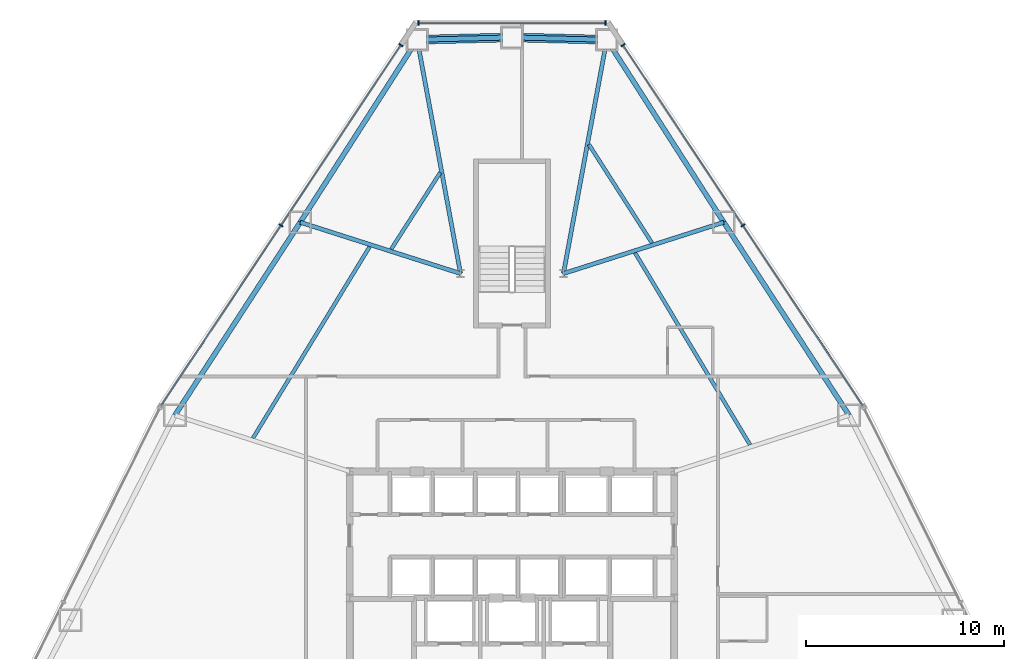
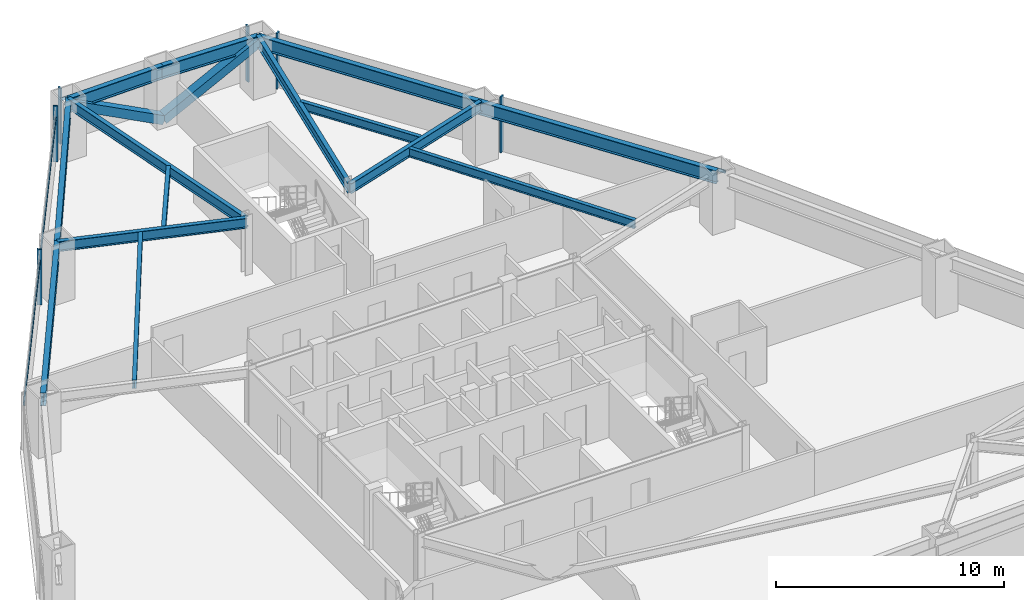
# One storey, part 7 of 12: 14 beams, 11 members, 3 elements without a shape of their own.
"""IFC4 building model written with IfcOpenShell, lengths in metres."""

import ifcopenshell
import ifcopenshell.guid

model = None  # the IFC model being written
_history = None  # IfcOwnerHistory: only IFC2X3 demands one
_inside = {}  # id of a spatial element -> (the spatial element, [elements in it])
_under = {}  # id of a project, library or spatial element -> (it, [spatial elements below it])
_declared = {}  # id of a project -> (the project, [libraries it declares])
_typed = {}  # id of a type object -> (the type object, [elements of that type])
_made_of = {}  # id of a material, layer set ... -> (it, [elements and type objects made of it])


def new_model(schema):
    """Start an empty IFC model of exactly this schema.

    Asked for "IFC4X3", IfcOpenShell would pick the latest addendum, in which some entities
    have other attributes; the version numbers below select the first issue.
    IFC2X3 requires an IfcOwnerHistory on every rooted entity: one is made here for all.
    """
    global model, _history
    if schema == "IFC4X3":
        model = ifcopenshell.file(schema_version=(4, 3, 0, 0))
    else:
        model = ifcopenshell.file(schema=schema)
    _inside.clear()
    _under.clear()
    _declared.clear()
    _typed.clear()
    _made_of.clear()
    _history = None
    if model.schema == "IFC2X3":
        org = make("IfcOrganization", Name="unknown")
        user = make(
            "IfcPersonAndOrganization",
            ThePerson=make("IfcPerson", FamilyName="unknown"),
            TheOrganization=org,
        )
        app = make(
            "IfcApplication",
            ApplicationDeveloper=org,
            Version="unknown",
            ApplicationFullName="unknown",
            ApplicationIdentifier="unknown",
        )
        _history = make(
            "IfcOwnerHistory",
            OwningUser=user,
            OwningApplication=app,
            ChangeAction="ADDED",
            CreationDate=0,
        )
    return model


def make(cls, **values):
    """One entity of the class cls with the attributes given. An attribute that is None is left unset."""
    return model.create_entity(
        cls, **{name: value for name, value in values.items() if value is not None}
    )


def rooted(cls, **values):
    """An entity with a GlobalId (a new one), such as an element, a storey or a relation."""
    return make(cls, GlobalId=ifcopenshell.guid.new(), OwnerHistory=_history, **values)


def si_unit(unit_type, name, prefix=None):
    """IfcSIUnit, for example si_unit("LENGTHUNIT", "METRE", prefix="MILLI")."""
    return make("IfcSIUnit", UnitType=unit_type, Prefix=prefix, Name=name)


def assignment(units):
    """IfcUnitAssignment: the units of a project."""
    return None if units is None else make("IfcUnitAssignment", Units=units)


def point(xyz):
    """IfcCartesianPoint."""
    return None if xyz is None else make("IfcCartesianPoint", Coordinates=xyz)


def direction(xyz):
    """IfcDirection."""
    return None if xyz is None else make("IfcDirection", DirectionRatios=xyz)


def frame(location, z_axis=None, x_axis=None):
    """IfcAxis2Placement3D, a coordinate frame: its origin and axes. An axis left out is left unset."""
    return make(
        "IfcAxis2Placement3D",
        Location=point(location),
        Axis=direction(z_axis),
        RefDirection=direction(x_axis),
    )


def frame_2d(location, x_axis=None):
    """IfcAxis2Placement2D, a coordinate frame in the plane: its origin and x axis."""
    return make(
        "IfcAxis2Placement2D", Location=point(location), RefDirection=direction(x_axis)
    )


def origin():
    """The frame at (0, 0, 0) with its axes left unset."""
    return frame((0.0, 0.0, 0.0))


def origin_2d():
    """The frame at (0, 0) in the plane with its x axis left unset."""
    return frame_2d((0.0, 0.0))


def place(relative_to, where):
    """IfcLocalPlacement: puts the frame where relative to a parent placement (None: the world)."""
    return make(
        "IfcLocalPlacement", PlacementRelTo=relative_to, RelativePlacement=where
    )


def context(
    kind, dimensions, precision=None, world=None, true_north=None, identifier=None
):
    """IfcGeometricRepresentationContext, for example the 3D "Model" context."""
    return make(
        "IfcGeometricRepresentationContext",
        ContextIdentifier=identifier,
        ContextType=kind,
        CoordinateSpaceDimension=dimensions,
        Precision=precision,
        WorldCoordinateSystem=world,
        TrueNorth=true_north,
    )


def subcontext(parent, identifier, kind, view, scale=None):
    """IfcGeometricRepresentationSubContext, for example "Body" below "Model"."""
    return make(
        "IfcGeometricRepresentationSubContext",
        ContextIdentifier=identifier,
        ContextType=kind,
        ParentContext=parent,
        TargetScale=scale,
        TargetView=view,
    )


def project(units=None, contexts=None):
    """IfcProject with its units and contexts."""
    return rooted(
        "IfcProject",
        Name="project",
        RepresentationContexts=contexts,
        UnitsInContext=assignment(units),
    )


def spatial(cls, under=None, at=None, **own):
    """A site, building, storey or space (cls), placed at a placement, below another one or the project."""
    s = rooted(cls, ObjectPlacement=at, **own)
    if under is not None:
        _under.setdefault(under.id(), (under, []))[1].append(s)
    return s


def profile(cls, at=None, kind="AREA", **sizes):
    """A parametric profile (cls). Its sizes go by their IFC names, for example OverallWidth=200.0."""
    return make(cls, ProfileType=kind, Position=at, **sizes)


def rectangle(**sizes):
    """IfcRectangleProfileDef."""
    return profile("IfcRectangleProfileDef", **sizes)


def hollow_rectangle(**sizes):
    """IfcRectangleHollowProfileDef."""
    return profile("IfcRectangleHollowProfileDef", **sizes)


def i_section(**sizes):
    """IfcIShapeProfileDef."""
    return profile("IfcIShapeProfileDef", **sizes)


def extrude(swept, where, along, depth):
    """IfcExtrudedAreaSolid: the profile swept, set in the frame where, extruded along a direction by depth."""
    return make(
        "IfcExtrudedAreaSolid",
        SweptArea=swept,
        Position=where,
        ExtrudedDirection=direction(along),
        Depth=depth,
    )


def shape(context_of_items, identifier, shape_type, items):
    """IfcShapeRepresentation: the items that make up one representation, for example the "Body"."""
    return make(
        "IfcShapeRepresentation",
        ContextOfItems=context_of_items,
        RepresentationIdentifier=identifier,
        RepresentationType=shape_type,
        Items=items,
    )


def source(mapping_origin, context_of_items, identifier, shape_type, items):
    """IfcRepresentationMap: a shape defined once, which mapped items show again and again."""
    return make(
        "IfcRepresentationMap",
        MappingOrigin=mapping_origin,
        MappedRepresentation=shape(context_of_items, identifier, shape_type, items),
    )


def transform(
    local_origin,
    x_axis=None,
    y_axis=None,
    z_axis=None,
    scale=None,
    scale2=None,
    scale3=None,
    uniform=True,
):
    """IfcCartesianTransformationOperator3D, or its non-uniform kind. x_axis, y_axis, z_axis: its Axis1, 2, 3."""
    if uniform:
        return make(
            "IfcCartesianTransformationOperator3D",
            Axis1=direction(x_axis),
            Axis2=direction(y_axis),
            LocalOrigin=point(local_origin),
            Scale=scale,
            Axis3=direction(z_axis),
        )
    return make(
        "IfcCartesianTransformationOperator3DnonUniform",
        Axis1=direction(x_axis),
        Axis2=direction(y_axis),
        LocalOrigin=point(local_origin),
        Scale=scale,
        Axis3=direction(z_axis),
        Scale2=scale2,
        Scale3=scale3,
    )


def mapped(mapping_source, mapping_target):
    """IfcMappedItem: shows the shape of a source again, moved by a transform."""
    return make(
        "IfcMappedItem", MappingSource=mapping_source, MappingTarget=mapping_target
    )


def material(Name=None, Category=None):
    """IfcMaterial."""
    return make("IfcMaterial", Name=Name, Category=Category)


def layer(
    of_material, thickness, ventilated=None, Name=None, Category=None, Priority=None
):
    """IfcMaterialLayer: one layer of a wall or slab, of a material (None: an air gap)."""
    return make(
        "IfcMaterialLayer",
        Material=of_material,
        LayerThickness=thickness,
        IsVentilated=ventilated,
        Name=Name,
        Category=Category,
        Priority=Priority,
    )


def layer_set(layers, Name=None):
    """IfcMaterialLayerSet."""
    return make("IfcMaterialLayerSet", MaterialLayers=layers, LayerSetName=Name)


def material_profile(
    of_material, cross_section, Name=None, Category=None, Priority=None
):
    """IfcMaterialProfile: a cross section and its material."""
    return make(
        "IfcMaterialProfile",
        Name=Name,
        Material=of_material,
        Profile=cross_section,
        Priority=Priority,
        Category=Category,
    )


def profile_set(profiles, Name=None, composite=None):
    """IfcMaterialProfileSet."""
    return make(
        "IfcMaterialProfileSet",
        Name=Name,
        MaterialProfiles=profiles,
        CompositeProfile=composite,
    )


def made_of(thing, what):
    """Note that an element or type object is made of a material, layer set ...; save() writes the relation."""
    if what is not None:
        _made_of.setdefault(what.id(), (what, []))[1].append(thing)
    return thing


def type_object(cls, material=None, **own):
    """A type object (cls), such as IfcWallType, which elements share."""
    return made_of(rooted(cls, **own), material)


def type_shapes(of_type, sources):
    """Give a type object the sources (RepresentationMaps) that its elements show as mapped items."""
    of_type.RepresentationMaps = sources


def element(
    cls,
    number,
    at=None,
    inside=None,
    cuts=None,
    type_object=None,
    material=None,
    context=None,
    identifier="Body",
    shape_type=None,
    held_by="IfcProductDefinitionShape",
    body=None,
    shapes=None,
    **own,
):
    """One element of the class cls, such as IfcWall. Its Tag is "e" and its number.

    at: its placement. inside: the storey or other place that contains it. cuts: it is an
    opening in that element (IfcRelVoidsElement). A single representation is given by context,
    identifier, shape_type and body (its items); several are given by shapes. held_by: the class
    of the entity that holds the representations. save() writes the other relations.
    """
    e = rooted(cls, Tag="e%d" % number, ObjectPlacement=at, **own)
    if body is not None:
        shapes = [shape(context, identifier, shape_type, body)]
    if shapes is not None:
        e.Representation = make(held_by, Representations=shapes)
    if inside is not None:
        _inside.setdefault(inside.id(), (inside, []))[1].append(e)
    if cuts is not None:
        rooted(
            "IfcRelVoidsElement", RelatingBuildingElement=cuts, RelatedOpeningElement=e
        )
    if type_object is not None:
        _typed.setdefault(type_object.id(), (type_object, []))[1].append(e)
    return made_of(e, material)


def aggregate(whole, parts):
    """IfcRelAggregates: a whole, such as a stair, and the parts it consists of."""
    return rooted("IfcRelAggregates", RelatingObject=whole, RelatedObjects=parts)


def save(model, path):
    """Write the relations noted so far, then the file.

    IfcRelAggregates (storeys below a building ...), IfcRelContainedInSpatialStructure (elements
    in a storey), IfcRelDefinesByType, IfcRelAssociatesMaterial and IfcRelDeclares: one each for
    every whole, place, type object, material and project.
    """
    for whole, parts in _under.values():
        aggregate(whole, parts)
    for where, things in _inside.values():
        rooted(
            "IfcRelContainedInSpatialStructure",
            RelatedElements=things,
            RelatingStructure=where,
        )
    for kind, things in _typed.values():
        rooted("IfcRelDefinesByType", RelatedObjects=things, RelatingType=kind)
    for what, things in _made_of.values():
        rooted("IfcRelAssociatesMaterial", RelatedObjects=things, RelatingMaterial=what)
    for by, libraries in _declared.values():
        rooted("IfcRelDeclares", RelatingContext=by, RelatedDefinitions=libraries)
    model.write(path)


model = new_model("IFC4")

# Units and contexts
model_context = context("Model", 3, precision=1e-05, world=origin(), true_north=direction((0.0, 1.0)))
body_context = subcontext(model_context, "Body", "Model", "MODEL_VIEW")
ifc_project = project(units=[si_unit("LENGTHUNIT", "METRE"), si_unit("AREAUNIT", "SQUARE_METRE"), si_unit("VOLUMEUNIT", "CUBIC_METRE"), si_unit("PLANEANGLEUNIT", "RADIAN"), si_unit("MASSUNIT", "GRAM", prefix="KILO")], contexts=[model_context])

# Site, building, storey
site_placement = place(None, origin())
site = spatial("IfcSite", under=ifc_project, at=site_placement, CompositionType="ELEMENT")
building_placement = place(site_placement, origin())
building = spatial("IfcBuilding", under=site, at=building_placement, Name="Varakhsha Concourse Tower", CompositionType="ELEMENT")
storey_placement = place(building_placement, frame((0.0, 0.0, 62.39990234375)))
storey = spatial("IfcBuildingStorey", under=building, at=storey_placement, Name="L17", CompositionType="ELEMENT", Elevation=62.39990234375)

# Beams
ifc_material_1 = material(Name="Structural Steel ASTM A992 Grade 50", Category="steel")
ifc_material_profile_1 = material_profile(ifc_material_1, i_section(OverallWidth=0.19091796875, OverallDepth=0.45703125, WebThickness=0.009033203125, FlangeThickness=0.013916015625, at=origin_2d()), Name="W18X50")
ifc_profile_set_1 = profile_set([ifc_material_profile_1], Name="Structural Steel ASTM A992 Grade 50")
beam_type_1 = type_object("IfcBeamType", Name="BM-JST-W18X50", PredefinedType="JOIST", material=ifc_profile_set_1)
beam_1_placement = place(storey_placement, frame((36.376708984375, 46.306396484375, 2.751708984375), z_axis=(-0.539448153632, -0.842018817808, 0.0), x_axis=(0.842018817808, -0.539448153632, 0.0)))
element("IfcBeam", 1, at=beam_1_placement, inside=storey, type_object=beam_type_1, Name="BM-TJST-L17-03", PredefinedType="JOIST", context=body_context, shape_type="SweptSolid", body=[
    extrude(i_section(OverallWidth=0.19091796875, OverallDepth=0.45703125, WebThickness=0.009033203125, FlangeThickness=0.013916015625, at=origin_2d()), origin(), (0.0, 0.0, 1.0), 4.600830078125),
])
beam_2_placement = place(storey_placement, frame((32.805908203125, 42.556396484375, 2.751708984375), z_axis=(-0.520412401595, -0.853915061505, 0.0), x_axis=(0.853915061505, -0.520412401595, 0.0)))
element("IfcBeam", 2, at=beam_2_placement, inside=storey, type_object=beam_type_1, Name="BM-TJST-L17-04", PredefinedType="JOIST", context=body_context, shape_type="SweptSolid", body=[
    extrude(i_section(OverallWidth=0.19091796875, OverallDepth=0.45703125, WebThickness=0.009033203125, FlangeThickness=0.013916015625, at=origin_2d()), origin(), (0.0, 0.0, 1.0), 11.329833984375),
])
beam_3_placement = place(storey_placement, frame((52.031005859375, 32.541748046875, 2.751708984375), z_axis=(-0.513692387405, 0.857974435005, 0.0), x_axis=(-0.857974435005, -0.513692387405, 0.0)))
element("IfcBeam", 3, at=beam_3_placement, inside=storey, type_object=beam_type_1, Name="BM-TJST-L17-17", PredefinedType="JOIST", context=body_context, shape_type="SweptSolid", body=[
    extrude(i_section(OverallWidth=0.19091796875, OverallDepth=0.45703125, WebThickness=0.009033203125, FlangeThickness=0.013916015625, at=origin_2d()), origin(), (0.0, 0.0, 1.0), 11.309814453125),
])
beam_4_placement = place(storey_placement, frame((47.077392578125, 42.7431640625, 2.751708984375), z_axis=(-0.539426076223, 0.842032961523, 0.0), x_axis=(-0.842032961523, -0.539426076223, 0.0)))
element("IfcBeam", 4, at=beam_4_placement, inside=storey, type_object=beam_type_1, Name="BM-TJST-L17-18", PredefinedType="JOIST", context=body_context, shape_type="SweptSolid", body=[
    extrude(i_section(OverallWidth=0.19091796875, OverallDepth=0.45703125, WebThickness=0.009033203125, FlangeThickness=0.013916015625, at=origin_2d()), origin(), (0.0, 0.0, 1.0), 5.915283203125),
])
ifc_material_profile_2 = material_profile(ifc_material_1, i_section(OverallWidth=0.2109375, OverallDepth=0.5390625, WebThickness=0.011962890625, FlangeThickness=0.01904296875, at=origin_2d()), Name="W21X73")
ifc_profile_set_2 = profile_set([ifc_material_profile_2], Name="Structural Steel ASTM A992 Grade 50")
beam_type_2 = type_object("IfcBeamType", Name="BM-RAD-W21X73", PredefinedType="BEAM", material=ifc_profile_set_2)
for number, where, z_axis, x_axis, name in (
    (5, (42.60009765625, 41.199951171875, 2.710693359375), (0.182316963027, 0.983239810521, 0.0), (-0.983239810521, 0.182316963027, 0.0), "L17 Radial Floor Girder 01"),
    (6, (37.39990234375, 41.199951171875, 2.710693359375), (-0.182316963027, 0.983239810521, 0.0), (-0.983239810521, -0.182316963027, 0.0), "L17 Radial Floor Girder 03"),
):
    element("IfcBeam", number, at=place(storey_placement, frame(where, z_axis=z_axis, x_axis=x_axis)), inside=storey, type_object=beam_type_2, Name=name, PredefinedType="BEAM", context=body_context, shape_type="SweptSolid", body=[
        extrude(i_section(OverallWidth=0.2109375, OverallDepth=0.5390625, WebThickness=0.011962890625, FlangeThickness=0.01904296875, at=origin_2d()), origin(), (0.0, 0.0, 1.0), 12.01708984375),
    ])
for number, where, z_axis, x_axis, name in (
    (7, (37.39990234375, 41.199951171875, 2.710693359375), (-0.952503770895, 0.30452679099, 0.0), (-0.30452679099, -0.952503770895, 0.0), "L17 Radial Floor Girder 04"),
    (8, (42.60009765625, 41.199951171875, 2.710693359375), (0.952503770895, 0.30452679099, 0.0), (-0.30452679099, 0.952503770895, 0.0), "L17 Radial Floor Girder 18"),
):
    element("IfcBeam", number, at=place(storey_placement, frame(where, z_axis=z_axis, x_axis=x_axis)), inside=storey, type_object=beam_type_2, Name=name, PredefinedType="BEAM", context=body_context, shape_type="SweptSolid", body=[
        extrude(i_section(OverallWidth=0.2109375, OverallDepth=0.5390625, WebThickness=0.011962890625, FlangeThickness=0.01904296875, at=origin_2d()), origin(), (0.0, 0.0, 1.0), 8.50537109375),
    ])
ifc_material_profile_3 = material_profile(ifc_material_1, i_section(OverallWidth=0.25390625, OverallDepth=0.701904296875, WebThickness=0.014892578125, FlangeThickness=0.028076171875, at=origin_2d()), Name="W27X129")
ifc_profile_set_3 = profile_set([ifc_material_profile_3], Name="Structural Steel ASTM A992 Grade 50")
beam_type_3 = type_object("IfcBeamType", Name="BM-SPAN-W27X129", PredefinedType="SPANDREL", material=ifc_profile_set_3)
for number, where, z_axis, x_axis, name in (
    (9, (44.791015625, 53.015625, 2.629150390625), (-0.999694733244, 0.024707090584, 0.0), (-0.024707090584, -0.999694733244, 0.0), "BM-SPAN-L17-01"),
    (10, (40.0, 53.134033203125, 2.629150390625), (-0.999694733244, -0.024707090584, 0.0), (0.024707090584, -0.999694733244, 0.0), "BM-SPAN-L17-02"),
):
    element("IfcBeam", number, at=place(storey_placement, frame(where, z_axis=z_axis, x_axis=x_axis)), inside=storey, type_object=beam_type_3, Name=name, PredefinedType="SPANDREL", context=body_context, shape_type="SweptSolid", body=[
        extrude(i_section(OverallWidth=0.25390625, OverallDepth=0.701904296875, WebThickness=0.014892578125, FlangeThickness=0.028076171875, at=origin_2d()), origin(), (0.0, 0.0, 1.0), 4.79248046875),
    ])
beam_5_placement = place(storey_placement, frame((35.208984375, 53.015625, 2.629150390625), z_axis=(-0.539443776908, -0.842021621786, 0.0), x_axis=(0.842021621786, -0.539443776908, 0.0)))
element("IfcBeam", 11, at=beam_5_placement, inside=storey, type_object=beam_type_3, Name="BM-SPAN-L17-03", PredefinedType="SPANDREL", context=body_context, shape_type="SweptSolid", body=[
    extrude(i_section(OverallWidth=0.25390625, OverallDepth=0.701904296875, WebThickness=0.014892578125, FlangeThickness=0.028076171875, at=origin_2d()), origin(), (0.0, 0.0, 1.0), 10.95654296875),
])
for number, where, z_axis, x_axis, name in (
    (12, (29.298583984375, 43.7900390625, 2.629150390625), (-0.544554434333, -0.838725502205, 0.0), (0.838725502205, -0.544554434333, 0.0), "BM-SPAN-L17-04"),
    (13, (57.034912109375, 34.03515625, 2.629150390625), (-0.544554434333, 0.838725502205, 0.0), (-0.838725502205, -0.544554434333, 0.0), "BM-SPAN-L17-17"),
):
    element("IfcBeam", number, at=place(storey_placement, frame(where, z_axis=z_axis, x_axis=x_axis)), inside=storey, type_object=beam_type_3, Name=name, PredefinedType="SPANDREL", context=body_context, shape_type="SweptSolid", body=[
        extrude(i_section(OverallWidth=0.25390625, OverallDepth=0.701904296875, WebThickness=0.014892578125, FlangeThickness=0.028076171875, at=origin_2d()), origin(), (0.0, 0.0, 1.0), 11.630615234375),
    ])
beam_6_placement = place(storey_placement, frame((50.701416015625, 43.7900390625, 2.629150390625), z_axis=(-0.539443776908, 0.842021621786, 0.0), x_axis=(-0.842021621786, -0.539443776908, 0.0)))
element("IfcBeam", 14, at=beam_6_placement, inside=storey, type_object=beam_type_3, Name="BM-SPAN-L17-18", PredefinedType="SPANDREL", context=body_context, shape_type="SweptSolid", body=[
    extrude(i_section(OverallWidth=0.25390625, OverallDepth=0.701904296875, WebThickness=0.014892578125, FlangeThickness=0.028076171875, at=origin_2d()), origin(), (0.0, 0.0, 1.0), 10.95654296875),
])

# Members
ifc_material_2 = material(Name="Structural Steel ASTM A500 Grade C", Category="steel")
ifc_material_profile_4 = material_profile(ifc_material_2, hollow_rectangle(XDim=0.449951171875, YDim=0.449951171875, WallThickness=0.01904296875, at=origin_2d()), Name="HSS 450x450x19")
ifc_profile_set_4 = profile_set([ifc_material_profile_4], Name="Structural Steel ASTM A500 Grade C")
member_type_1 = type_object("IfcMemberType", Name="MB-TUBE-HSS450", PredefinedType="BRACE", material=ifc_profile_set_4)
shared_shape_1 = source(origin(), body_context, "Body", "SweptSolid", [
    extrude(hollow_rectangle(XDim=0.449951171875, YDim=0.449951171875, WallThickness=0.01904296875, at=origin_2d()), origin(), (0.0, 0.0, 1.0), 5.433349609375),
])
type_shapes(member_type_1, [shared_shape_1])
for number, where, z_axis, x_axis, name in (
    (15, (40.0, 53.134033203125, 0.1201171875), (0.881772457073, -0.021792684554, 0.47117132006), (0.024707090584, 0.999694733244, 0.0), "L17 Wind-Corner Tube Brace B01"),
    (16, (40.0, 53.134033203125, 0.1201171875), (-0.881772457073, -0.021792684554, 0.47117132006), (0.024707090584, -0.999694733244, 0.0), "L17 Wind-Corner Tube Brace B02"),
):
    element("IfcMember", number, at=place(storey_placement, frame(where, z_axis=z_axis, x_axis=x_axis)), inside=storey, type_object=member_type_1, Name=name, PredefinedType="BRACE", context=body_context, shape_type="MappedRepresentation", body=[
        mapped(shared_shape_1, transform((0.0, 0.0, 0.0), scale=1.0)),
    ])

# Curtain wall, members
ifc_material_3 = material(Name="Anodised Bronze Architectural Aluminium AA 6063-T6", Category="aluminium")
ifc_layer = layer(ifc_material_3, 0.219970703125, Name="CW-SYS-02")
ifc_layer_set = layer_set([ifc_layer], Name="Anodised Bronze Architectural Aluminium AA 6063-T6")
curtain_wall_type = type_object("IfcCurtainWallType", Name="CW-SYS-02", PredefinedType="NOTDEFINED", material=ifc_layer_set)
curtain_wall_1_placement = place(storey_placement, origin())
curtain_wall_1 = element("IfcCurtainWall", 17, at=curtain_wall_1_placement, inside=storey, type_object=curtain_wall_type, Name="L17 Chamfer Curtain Wall F1", PredefinedType="NOTDEFINED")
ifc_material_profile_5 = material_profile(ifc_material_3, rectangle(XDim=0.074951171875, YDim=0.219970703125, at=origin_2d()), Name="CWM-220X75")
ifc_profile_set_5 = profile_set([ifc_material_profile_5], Name="Anodised Bronze Architectural Aluminium AA 6063-T6")
member_type_2 = type_object("IfcMemberType", Name="CWM-220X75", PredefinedType="MULLION", material=ifc_profile_set_5)
shared_shape_2 = source(origin(), body_context, "Body", "SweptSolid", [
    extrude(rectangle(XDim=0.074951171875, YDim=0.219970703125, at=origin_2d()), origin(), (0.0, 0.0, 1.0), 2.97998046875),
])
type_shapes(member_type_2, [shared_shape_2])
member_1_placement = place(storey_placement, frame((35.262939453125, 53.85400390625, 0.0), z_axis=(0.0, 0.0, 1.0), x_axis=(1.0, 0.0, 0.0)))
member_1 = element("IfcMember", 18, at=member_1_placement, type_object=member_type_2, Name="CW-L17-F1 Mullion 00", PredefinedType="MULLION", context=body_context, shape_type="MappedRepresentation", body=[
    mapped(shared_shape_2, transform((0.0, 0.0, 0.0), scale=1.0)),
])
member_2_placement = place(storey_placement, frame((44.737060546875, 53.85400390625, 0.0), z_axis=(0.0, 0.0, 1.0), x_axis=(1.0, 0.0, 0.0)))
member_2 = element("IfcMember", 19, at=member_2_placement, type_object=member_type_2, Name="CW-L17-F1 Mullion 01", PredefinedType="MULLION", context=body_context, shape_type="MappedRepresentation", body=[
    mapped(shared_shape_2, transform((0.0, 0.0, 0.0), scale=1.0)),
])

curtain_wall_2_placement = place(storey_placement, origin())
curtain_wall_2 = element("IfcCurtainWall", 20, at=curtain_wall_2_placement, inside=storey, type_object=curtain_wall_type, Name="L17 Crystal Curtain Wall F2", PredefinedType="NOTDEFINED")
member_3_placement = place(storey_placement, frame((28.327880859375, 43.631103515625, 0.0), z_axis=(0.0, 0.0, 1.0), x_axis=(0.553879904586, 0.832596571753, 0.0)))
member_3 = element("IfcMember", 21, at=member_3_placement, type_object=member_type_2, Name="CW-L17-F2 Mullion 01", PredefinedType="MULLION", context=body_context, shape_type="MappedRepresentation", body=[
    mapped(shared_shape_2, transform((0.0, 0.0, 0.0), scale=1.0)),
])
member_4_placement = place(storey_placement, frame((34.3896484375, 52.7431640625, 0.0), z_axis=(0.0, 0.0, 1.0), x_axis=(0.553879904586, 0.832596571753, 0.0)))
member_4 = element("IfcMember", 22, at=member_4_placement, type_object=member_type_2, Name="CW-L17-F2 Mullion 02", PredefinedType="MULLION", context=body_context, shape_type="MappedRepresentation", body=[
    mapped(shared_shape_2, transform((0.0, 0.0, 0.0), scale=1.0)),
])

curtain_wall_3_placement = place(storey_placement, origin())
curtain_wall_3 = element("IfcCurtainWall", 23, at=curtain_wall_3_placement, inside=storey, type_object=curtain_wall_type, Name="L17 Crystal Curtain Wall F9", PredefinedType="NOTDEFINED")
member_5_placement = place(storey_placement, frame((45.6103515625, 52.7431640625, 0.0), z_axis=(0.0, 0.0, 1.0), x_axis=(0.553879904586, -0.832596571753, 0.0)))
member_5 = element("IfcMember", 24, at=member_5_placement, type_object=member_type_2, Name="CW-L17-F9 Mullion 00", PredefinedType="MULLION", context=body_context, shape_type="MappedRepresentation", body=[
    mapped(shared_shape_2, transform((0.0, 0.0, 0.0), scale=1.0)),
])
member_6_placement = place(storey_placement, frame((51.672119140625, 43.631103515625, 0.0), z_axis=(0.0, 0.0, 1.0), x_axis=(0.553879904586, -0.832596571753, 0.0)))
member_6 = element("IfcMember", 25, at=member_6_placement, type_object=member_type_2, Name="CW-L17-F9 Mullion 01", PredefinedType="MULLION", context=body_context, shape_type="MappedRepresentation", body=[
    mapped(shared_shape_2, transform((0.0, 0.0, 0.0), scale=1.0)),
])

# Member
ifc_material_profile_6 = material_profile(ifc_material_3, rectangle(XDim=0.06494140625, YDim=0.159912109375, at=origin_2d()), Name="CWT-160X65")
ifc_profile_set_6 = profile_set([ifc_material_profile_6], Name="Anodised Bronze Architectural Aluminium AA 6063-T6")
member_type_3 = type_object("IfcMemberType", Name="CWT-160X65", PredefinedType="USERDEFINED", material=ifc_profile_set_6)
shared_shape_3 = source(origin(), body_context, "Body", "SweptSolid", [
    extrude(rectangle(XDim=0.06494140625, YDim=0.159912109375, at=origin_2d()), origin(), (0.0, 0.0, 1.0), 9.47412109375),
])
member_7_placement = place(storey_placement, frame((35.262939453125, 53.85400390625, 2.330078125), z_axis=(1.0, 0.0, 0.0), x_axis=(0.0, 1.0, 0.0)))
member_7 = element("IfcMember", 26, at=member_7_placement, type_object=member_type_3, Name="CW-L17-F1 Transom 01", ObjectType="TRANSOM", PredefinedType="USERDEFINED", context=body_context, shape_type="MappedRepresentation", body=[
    mapped(shared_shape_3, transform((0.0, 0.0, 0.0), scale=1.0)),
])

aggregate(curtain_wall_1, [member_1, member_2, member_7])

shared_shape_4 = source(origin(), body_context, "Body", "SweptSolid", [
    extrude(rectangle(XDim=0.06494140625, YDim=0.159912109375, at=origin_2d()), origin(), (0.0, 0.0, 1.0), 21.888427734375),
])
type_shapes(member_type_3, [shared_shape_3, shared_shape_4])
member_8_placement = place(storey_placement, frame((22.26611328125, 34.51904296875, 2.330078125), z_axis=(0.553881401626, 0.832595575855, 0.0), x_axis=(-0.832595575855, 0.553881401626, 0.0)))
member_8 = element("IfcMember", 27, at=member_8_placement, type_object=member_type_3, Name="CW-L17-F2 Transom 01", ObjectType="TRANSOM", PredefinedType="USERDEFINED", context=body_context, shape_type="MappedRepresentation", body=[
    mapped(shared_shape_4, transform((0.0, 0.0, 0.0), scale=1.0)),
])

aggregate(curtain_wall_2, [member_3, member_4, member_8])

member_9_placement = place(storey_placement, frame((45.6103515625, 52.7431640625, 2.330078125), z_axis=(0.553881401626, -0.832595575855, 0.0), x_axis=(0.832595575855, 0.553881401626, 0.0)))
member_9 = element("IfcMember", 28, at=member_9_placement, type_object=member_type_3, Name="CW-L17-F9 Transom 01", ObjectType="TRANSOM", PredefinedType="USERDEFINED", context=body_context, shape_type="MappedRepresentation", body=[
    mapped(shared_shape_4, transform((0.0, 0.0, 0.0), scale=1.0)),
])

aggregate(curtain_wall_3, [member_5, member_6, member_9])

save(model, "model.ifc")
